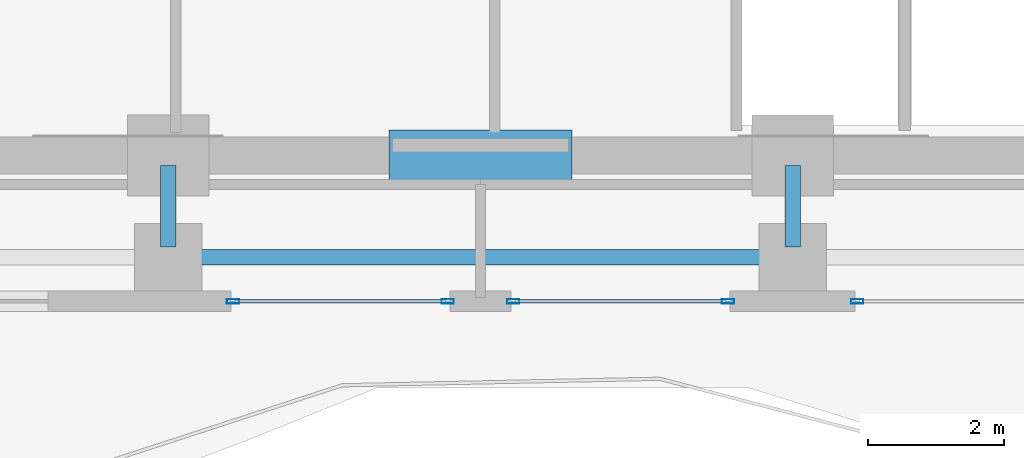
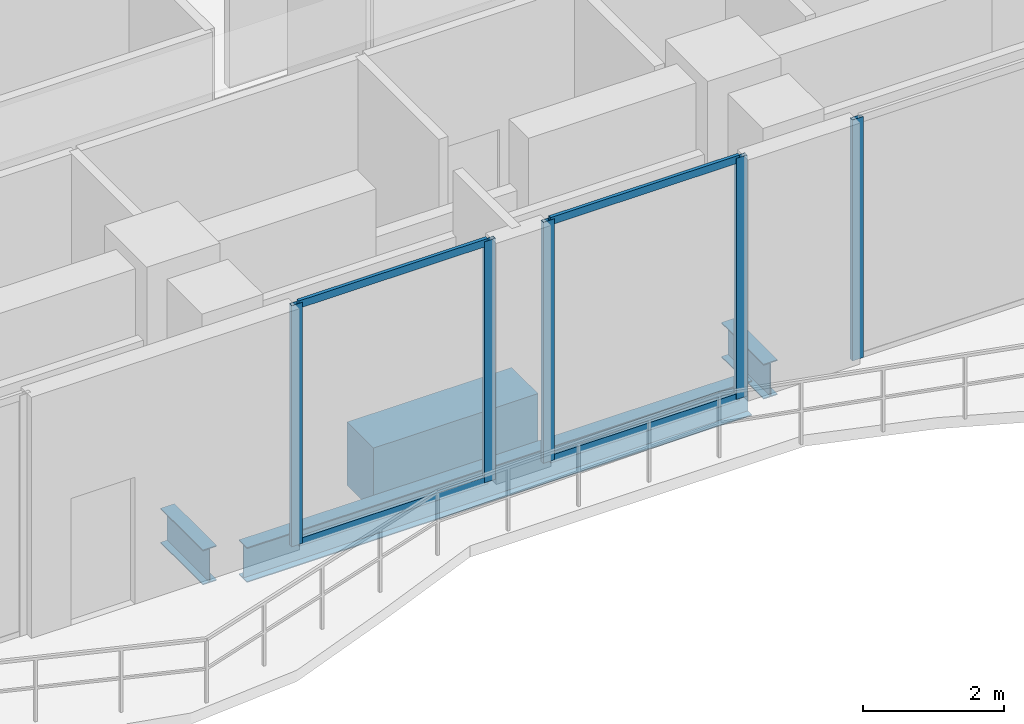
# One storey, part 4 of 24: 9 members, 4 beams, 3 elements without a shape of their own.
"""IFC4 building model written with IfcOpenShell, lengths in metres."""

from ifc_helpers import new_model, si_unit, direction, frame, origin, origin_2d, place, context, subcontext, project, spatial, rectangle, hollow_rectangle, i_section, extrude, material, layer, layer_set, material_profile, profile_set, type_object, element, aggregate, save


model = new_model("IFC4")

# Units and contexts
model_context = context("Model", 3, precision=1e-05, world=origin(), true_north=direction((0.0, 1.0)))
body_context = subcontext(model_context, "Body", "Model", "MODEL_VIEW")
ifc_project = project(units=[si_unit("LENGTHUNIT", "METRE"), si_unit("AREAUNIT", "SQUARE_METRE"), si_unit("VOLUMEUNIT", "CUBIC_METRE"), si_unit("PLANEANGLEUNIT", "RADIAN"), si_unit("MASSUNIT", "GRAM", prefix="KILO")], contexts=[model_context])

# Site, building, storey
site_placement = place(None, origin())
site = spatial("IfcSite", under=ifc_project, at=site_placement, CompositionType="ELEMENT")
building_placement = place(site_placement, origin())
building = spatial("IfcBuilding", under=site, at=building_placement, Name="Zuhayl Quay Hotel", CompositionType="ELEMENT")
storey_placement = place(building_placement, frame((0.0, 0.0, 284.050048828125)))
storey = spatial("IfcBuildingStorey", under=building, at=storey_placement, Name="L72", CompositionType="ELEMENT", Elevation=284.050048828125)

# Beams
ifc_material_1 = material(Name="Steel ASTM A992 Grade 50", Category="steel")
ifc_material_profile_1 = material_profile(ifc_material_1, i_section(OverallWidth=0.22802734375, OverallDepth=0.60693359375, WebThickness=0.01123046875, FlangeThickness=0.017333984375, at=origin_2d()), Name="W24X76")
ifc_profile_set_1 = profile_set([ifc_material_profile_1], Name="Steel ASTM A992 Grade 50")
beam_type_1 = type_object("IfcBeamType", Name="BM_B3_W24X76", PredefinedType="BEAM", material=ifc_profile_set_1)
beam_1_placement = place(storey_placement, frame((-4.139892578125, 0.64990234375, -0.5234375), z_axis=(1.0, 0.0, 0.0), x_axis=(0.0, 1.0, 0.0)))
element("IfcBeam", 1, at=beam_1_placement, inside=storey, type_object=beam_type_1, Name="L72 Floor Beam RG_L72_02", PredefinedType="BEAM", context=body_context, shape_type="SweptSolid", body=[
    extrude(i_section(OverallWidth=0.22802734375, OverallDepth=0.60693359375, WebThickness=0.01123046875, FlangeThickness=0.017333984375, at=origin_2d()), origin(), (0.0, 0.0, 1.0), 8.27978515625),
])
for number, where, z_axis, x_axis, name in (
    (2, (-4.60009765625, 0.800048828125, -0.5234375), (0.0, 1.0, 0.0), (-1.0, 0.0, 0.0), "L72 Floor Beam FG_S_L72_2"),
    (3, (4.60009765625, 0.800048828125, -0.5234375), (0.0, 1.0, 0.0), (-1.0, 0.0, 0.0), "L72 Floor Beam FG_S_L72_3"),
):
    element("IfcBeam", number, at=place(storey_placement, frame(where, z_axis=z_axis, x_axis=x_axis)), inside=storey, type_object=beam_type_1, Name=name, PredefinedType="BEAM", context=body_context, shape_type="SweptSolid", body=[
        extrude(i_section(OverallWidth=0.22802734375, OverallDepth=0.60693359375, WebThickness=0.01123046875, FlangeThickness=0.017333984375, at=origin_2d()), origin(), (0.0, 0.0, 1.0), 1.199951171875),
    ])
ifc_material_2 = material(Name="Concrete C60/75", Category="concrete")
ifc_material_profile_2 = material_profile(ifc_material_2, rectangle(XDim=0.75, YDim=1.10009765625, at=origin_2d()), Name="RC750X1100")
ifc_profile_set_2 = profile_set([ifc_material_profile_2], Name="Concrete C60/75")
beam_type_2 = type_object("IfcBeamType", Name="BM_CB2_RC750", PredefinedType="T_BEAM", material=ifc_profile_set_2)
beam_2_placement = place(storey_placement, frame((-1.35009765625, 2.14990234375, -0.77001953125), z_axis=(1.0, 0.0, 0.0), x_axis=(0.0, 1.0, 0.0)))
element("IfcBeam", 4, at=beam_2_placement, inside=storey, type_object=beam_type_2, Name="L72 Core Coupling Beam South", PredefinedType="T_BEAM", context=body_context, shape_type="SweptSolid", body=[
    extrude(rectangle(XDim=0.75, YDim=1.10009765625, at=origin_2d()), origin(), (0.0, 0.0, 1.0), 2.7001953125),
])

# Curtain wall, member
ifc_material_3 = material(Name="Anodised Aluminium 6063-T6", Category="aluminium")
ifc_layer = layer(ifc_material_3, 0.169921875, Name="Anodised Aluminium 6063-T6", Category="aluminium")
ifc_layer_set = layer_set([ifc_layer], Name="Anodised Aluminium 6063-T6")
curtain_wall_type = type_object("IfcCurtainWallType", Name="CW_SYS_Z4", PredefinedType="USERDEFINED", material=ifc_layer_set)
curtain_wall_1_placement = place(storey_placement, origin())
curtain_wall_1 = element("IfcCurtainWall", 5, at=curtain_wall_1_placement, inside=storey, type_object=curtain_wall_type, Name="L72 Curtain Wall ENV_L72_S_CW1", ObjectType="UNITISED CURTAIN WALL", PredefinedType="USERDEFINED")
ifc_material_4 = material(Name="Black-anodised aluminium 6063-T6", Category="aluminium")
ifc_material_profile_3 = material_profile(ifc_material_4, hollow_rectangle(XDim=0.06494140625, YDim=0.179931640625, WallThickness=0.00341796875, at=origin_2d()), Name="ALU180X65")
ifc_profile_set_3 = profile_set([ifc_material_profile_3], Name="Black-anodised aluminium 6063-T6")
member_type_1 = type_object("IfcMemberType", Name="MB_CW_MUL_180", PredefinedType="MULLION", material=ifc_profile_set_3)
member_1_placement = place(storey_placement, frame((5.552490234375, 0.0, 0.0), z_axis=(0.0, 0.0, 1.0), x_axis=(0.0, -1.0, 0.0)))
member_1 = element("IfcMember", 6, at=member_1_placement, type_object=member_type_1, Name="CW-Z4 mullion 2", PredefinedType="MULLION", context=body_context, shape_type="SweptSolid", body=[
    extrude(hollow_rectangle(XDim=0.06494140625, YDim=0.179931640625, WallThickness=0.00341796875, at=origin_2d()), origin(), (0.0, 0.0, 1.0), 4.179931640625),
])
aggregate(curtain_wall_1, [member_1])

# Curtain wall, members
curtain_wall_2_placement = place(storey_placement, origin())
curtain_wall_2 = element("IfcCurtainWall", 7, at=curtain_wall_2_placement, inside=storey, type_object=curtain_wall_type, Name="L72 Curtain Wall ENV_L72_S_CW2", ObjectType="UNITISED CURTAIN WALL", PredefinedType="USERDEFINED")
member_2_placement = place(storey_placement, frame((3.6474609375, 0.0, 0.0), z_axis=(0.0, 0.0, 1.0), x_axis=(0.0, -1.0, 0.0)))
member_2 = element("IfcMember", 8, at=member_2_placement, type_object=member_type_1, Name="CW-Z4 mullion 1", PredefinedType="MULLION", context=body_context, shape_type="SweptSolid", body=[
    extrude(hollow_rectangle(XDim=0.06494140625, YDim=0.179931640625, WallThickness=0.00341796875, at=origin_2d()), origin(), (0.0, 0.0, 1.0), 4.179931640625),
])
member_3_placement = place(storey_placement, frame((0.482421875, 0.0, 0.0), z_axis=(0.0, 0.0, 1.0), x_axis=(0.0, -1.0, 0.0)))
member_3 = element("IfcMember", 9, at=member_3_placement, type_object=member_type_1, Name="CW-Z4 mullion 2", PredefinedType="MULLION", context=body_context, shape_type="SweptSolid", body=[
    extrude(hollow_rectangle(XDim=0.06494140625, YDim=0.179931640625, WallThickness=0.00341796875, at=origin_2d()), origin(), (0.0, 0.0, 1.0), 4.179931640625),
])

curtain_wall_3_placement = place(storey_placement, origin())
curtain_wall_3 = element("IfcCurtainWall", 10, at=curtain_wall_3_placement, inside=storey, type_object=curtain_wall_type, Name="L72 Curtain Wall ENV_L72_S_CW3", ObjectType="UNITISED CURTAIN WALL", PredefinedType="USERDEFINED")
member_4_placement = place(storey_placement, frame((-0.482421875, 0.0, 0.0), z_axis=(0.0, 0.0, 1.0), x_axis=(0.0, -1.0, 0.0)))
member_4 = element("IfcMember", 11, at=member_4_placement, type_object=member_type_1, Name="CW-Z4 mullion 1", PredefinedType="MULLION", context=body_context, shape_type="SweptSolid", body=[
    extrude(hollow_rectangle(XDim=0.06494140625, YDim=0.179931640625, WallThickness=0.00341796875, at=origin_2d()), origin(), (0.0, 0.0, 1.0), 4.179931640625),
])
member_5_placement = place(storey_placement, frame((-3.6474609375, 0.0, 0.0), z_axis=(0.0, 0.0, 1.0), x_axis=(0.0, -1.0, 0.0)))
member_5 = element("IfcMember", 12, at=member_5_placement, type_object=member_type_1, Name="CW-Z4 mullion 2", PredefinedType="MULLION", context=body_context, shape_type="SweptSolid", body=[
    extrude(hollow_rectangle(XDim=0.06494140625, YDim=0.179931640625, WallThickness=0.00341796875, at=origin_2d()), origin(), (0.0, 0.0, 1.0), 4.179931640625),
])

# Member
ifc_material_profile_4 = material_profile(ifc_material_4, hollow_rectangle(XDim=0.054931640625, YDim=0.1298828125, WallThickness=0.0029296875, at=origin_2d()), Name="ALU130X55")
ifc_profile_set_4 = profile_set([ifc_material_profile_4], Name="Black-anodised aluminium 6063-T6")
member_type_2 = type_object("IfcMemberType", Name="MB_CW_TRN_130", PredefinedType="USERDEFINED", material=ifc_profile_set_4)
member_6_placement = place(storey_placement, frame((3.614990234375, 0.0, 0.02734375), z_axis=(-1.0, 0.0, 0.0), x_axis=(0.0, -1.0, 0.0)))
member_6 = element("IfcMember", 13, at=member_6_placement, type_object=member_type_2, Name="CW-Z4 transom 1.1", ObjectType="TRANSOM", PredefinedType="USERDEFINED", context=body_context, shape_type="SweptSolid", body=[
    extrude(hollow_rectangle(XDim=0.054931640625, YDim=0.1298828125, WallThickness=0.0029296875, at=origin_2d()), origin(), (0.0, 0.0, 1.0), 3.10009765625),
])

member_7_placement = place(storey_placement, frame((3.614990234375, 0.0, 4.15234375), z_axis=(-1.0, 0.0, 0.0), x_axis=(0.0, -1.0, 0.0)))
member_7 = element("IfcMember", 14, at=member_7_placement, type_object=member_type_2, Name="CW-Z4 transom 1.2", ObjectType="TRANSOM", PredefinedType="USERDEFINED", context=body_context, shape_type="SweptSolid", body=[
    extrude(hollow_rectangle(XDim=0.054931640625, YDim=0.1298828125, WallThickness=0.0029296875, at=origin_2d()), origin(), (0.0, 0.0, 1.0), 3.10009765625),
])

aggregate(curtain_wall_2, [member_2, member_3, member_6, member_7])

member_8_placement = place(storey_placement, frame((-0.514892578125, 0.0, 0.02734375), z_axis=(-1.0, 0.0, 0.0), x_axis=(0.0, -1.0, 0.0)))
member_8 = element("IfcMember", 15, at=member_8_placement, type_object=member_type_2, Name="CW-Z4 transom 1.1", ObjectType="TRANSOM", PredefinedType="USERDEFINED", context=body_context, shape_type="SweptSolid", body=[
    extrude(hollow_rectangle(XDim=0.054931640625, YDim=0.1298828125, WallThickness=0.0029296875, at=origin_2d()), origin(), (0.0, 0.0, 1.0), 3.10009765625),
])

member_9_placement = place(storey_placement, frame((-0.514892578125, 0.0, 4.15234375), z_axis=(-1.0, 0.0, 0.0), x_axis=(0.0, -1.0, 0.0)))
member_9 = element("IfcMember", 16, at=member_9_placement, type_object=member_type_2, Name="CW-Z4 transom 1.2", ObjectType="TRANSOM", PredefinedType="USERDEFINED", context=body_context, shape_type="SweptSolid", body=[
    extrude(hollow_rectangle(XDim=0.054931640625, YDim=0.1298828125, WallThickness=0.0029296875, at=origin_2d()), origin(), (0.0, 0.0, 1.0), 3.10009765625),
])

aggregate(curtain_wall_3, [member_4, member_5, member_8, member_9])

save(model, "model.ifc")
